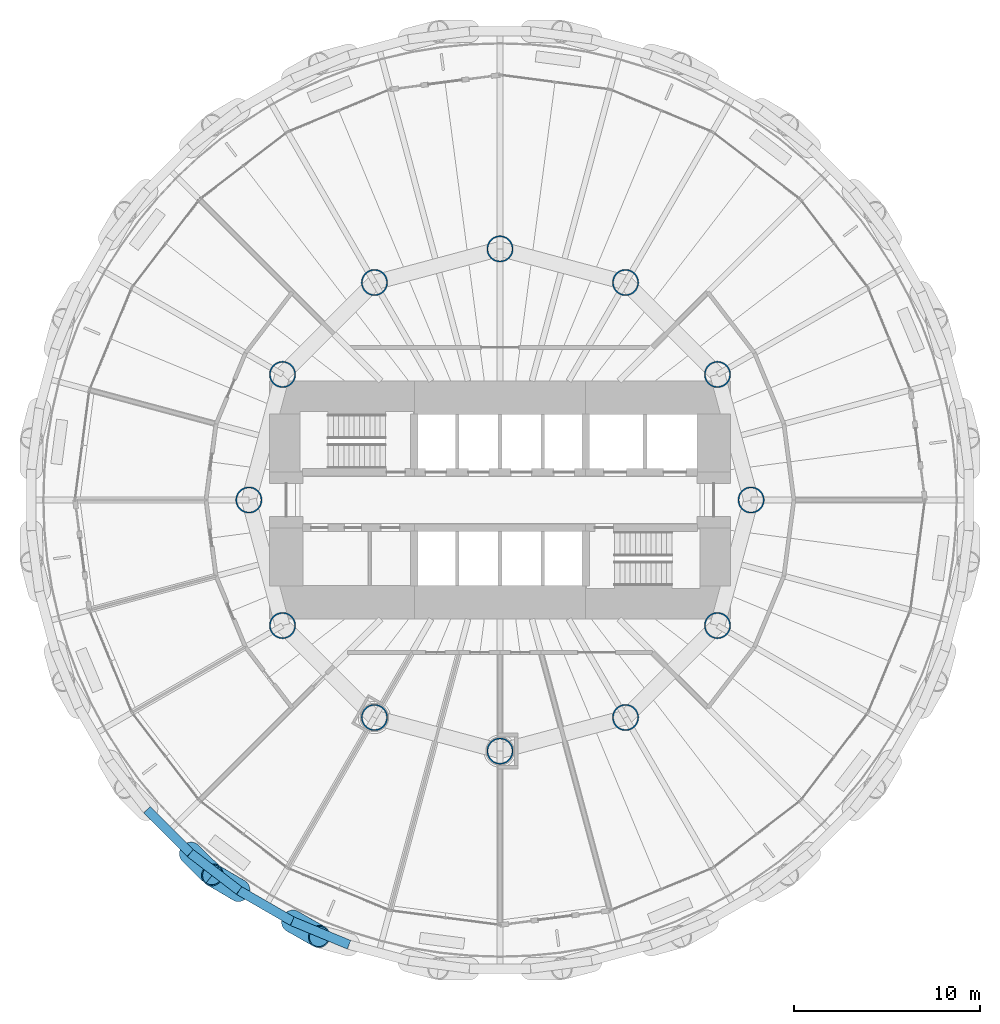
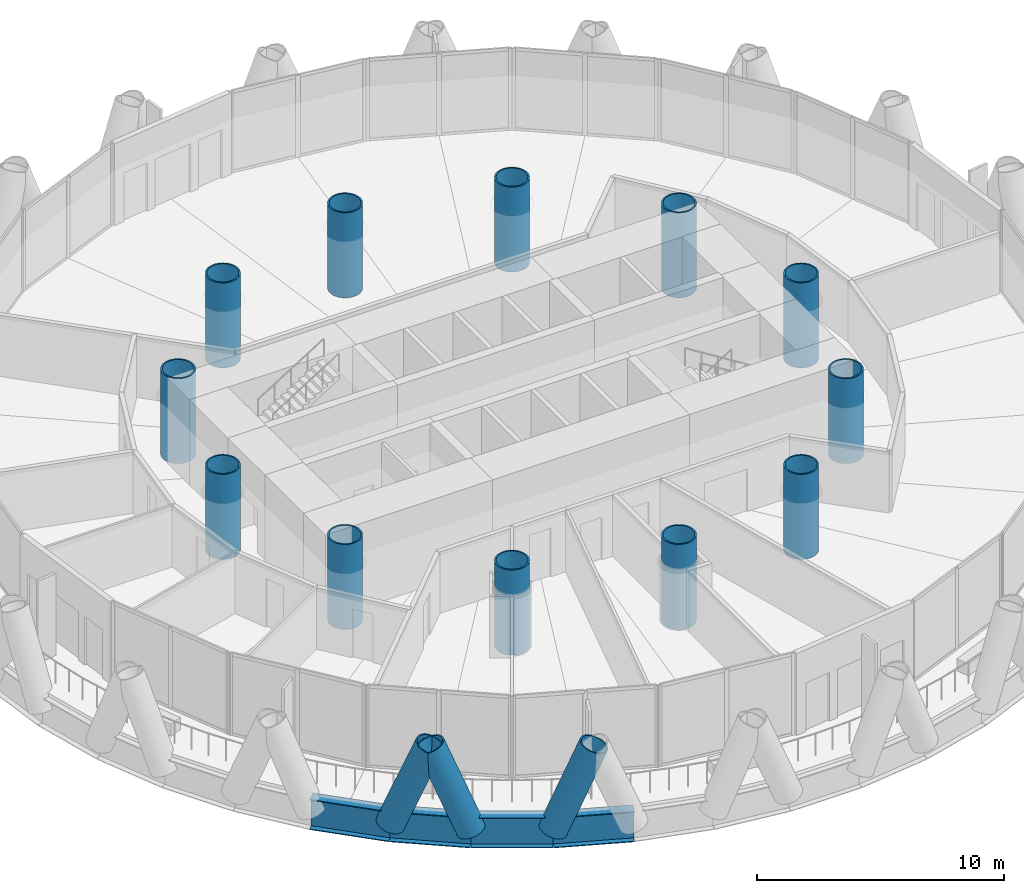
# One storey, part 1 of 16: 12 columns, 4 beams, 3 members.
"""IFC4 building model written with IfcOpenShell, lengths in metres."""

from ifc_helpers import new_model, si_unit, direction, frame, origin, origin_2d, place, context, subcontext, project, spatial, hollow_circle, i_section, extrude, material, material_profile, profile_set, type_object, element, save


model = new_model("IFC4")

# Units and contexts
model_context = context("Model", 3, precision=1e-05, world=origin(), true_north=direction((0.0, 1.0)))
body_context = subcontext(model_context, "Body", "Model", "MODEL_VIEW")
ifc_project = project(units=[si_unit("LENGTHUNIT", "METRE"), si_unit("AREAUNIT", "SQUARE_METRE"), si_unit("VOLUMEUNIT", "CUBIC_METRE"), si_unit("PLANEANGLEUNIT", "RADIAN"), si_unit("MASSUNIT", "GRAM", prefix="KILO")], contexts=[model_context])

# Site, building, storey
site_placement = place(None, origin())
site = spatial("IfcSite", under=ifc_project, at=site_placement, CompositionType="ELEMENT")
building_placement = place(site_placement, origin())
building = spatial("IfcBuilding", under=site, at=building_placement, Name="Qaws Media Tower", CompositionType="ELEMENT")
storey_placement = place(building_placement, frame((0.0, 0.0, 63.800048828125)))
storey = spatial("IfcBuildingStorey", under=building, at=storey_placement, Name="L13", CompositionType="ELEMENT", Elevation=63.800048828125)

# Columns
ifc_material_1 = material(Name="Steel S460", Category="steel")
ifc_material_profile_1 = material_profile(ifc_material_1, hollow_circle(Radius=0.7109375, WallThickness=0.070068359375, at=origin_2d()), Name="CHS 1422x70")
ifc_profile_set_1 = profile_set([ifc_material_profile_1], Name="Steel S460")
column_type = type_object("IfcColumnType", Name="Inner column CHS 1422x70", PredefinedType="COLUMN", material=ifc_profile_set_1)
for number, where, z_axis, x_axis, name in (
    (1, (73.5, 50.0, 0.0), (0.0, 0.0, 1.0), (1.0, 0.0, 0.0), "C5 inner column I01 L13"),
    (2, (71.69140625, 56.75, 0.0), (0.0, 0.0, 1.0), (1.0, 0.0, 0.0), "C5 inner column I02 L13"),
    (3, (66.75, 61.69140625, 0.0), (0.0, 0.0, 1.0), (1.0, 0.0, 0.0), "C5 inner column I03 L13"),
    (4, (60.0, 63.5, 0.0), (0.0, 0.0, 1.0), (1.0, 0.0, 0.0), "C5 inner column I04 L13"),
    (5, (53.25, 61.69140625, 0.0), (0.0, 0.0, 1.0), (1.0, 0.0, 0.0), "C5 inner column I05 L13"),
    (6, (48.30859375, 56.75, 0.0), (0.0, 0.0, 1.0), (1.0, 0.0, 0.0), "C5 inner column I06 L13"),
    (7, (46.5, 50.0, 0.0), (0.0, 0.0, 1.0), (1.0, 0.0, 0.0), "C5 inner column I07 L13"),
    (8, (48.30859375, 43.25, 0.0), (0.0, 0.0, 1.0), (1.0, 0.0, 0.0), "C5 inner column I08 L13"),
    (9, (53.25, 38.30859375, 0.0), (0.0, 0.0, 1.0), (1.0, 0.0, 0.0), "C5 inner column I09 L13"),
    (10, (60.0, 36.5, 0.0), (0.0, 0.0, 1.0), (1.0, 0.0, 0.0), "C5 inner column I10 L13"),
    (11, (66.75, 38.30859375, 0.0), (0.0, 0.0, 1.0), (1.0, 0.0, 0.0), "C5 inner column I11 L13"),
    (12, (71.69140625, 43.25, 0.0), (0.0, 0.0, 1.0), (1.0, 0.0, 0.0), "C5 inner column I12 L13"),
):
    element("IfcColumn", number, at=place(storey_placement, frame(where, z_axis=z_axis, x_axis=x_axis)), inside=storey, type_object=column_type, Name=name, PredefinedType="COLUMN", context=body_context, shape_type="SweptSolid", body=[
        extrude(hollow_circle(Radius=0.7109375, WallThickness=0.070068359375, at=origin_2d()), origin(), (0.0, 0.0, 1.0), 4.199951171875),
    ])

# Members
ifc_material_2 = material(Name="Steel S460", Category="steel")
ifc_material_profile_2 = material_profile(ifc_material_2, hollow_circle(Radius=0.609619140625, WallThickness=0.06005859375, at=origin_2d()), Name="CHS 1219x60")
ifc_profile_set_2 = profile_set([ifc_material_profile_2], Name="Steel S460")
member_type = type_object("IfcMemberType", Name="Diagrid member CHS 1219x60", PredefinedType="USERDEFINED", material=ifc_profile_set_2)
for number, where, z_axis, x_axis, name in (
    (13, (43.3515625, 31.01611328125, -0.91015625), (0.262473051655, -0.25836599958, 0.929706893282), (0.701509113894, 0.712660482364, 0.0), "DG1 diagrid L13 A16"),
    (14, (48.832275390625, 27.35400390625, -0.91015625), (0.320403656582, -0.1816287215, 0.929705600916), (0.493149544005, 0.869944554123, 0.0), "DG1 diagrid L13 A17"),
    (15, (45.971923828125, 29.00537109375, -0.91015625), (-0.317532559387, 0.186704389496, 0.929685185787), (-0.506859837862, -0.86202848257, 0.0), "DG1 diagrid L13 B17"),
):
    element("IfcMember", number, at=place(storey_placement, frame(where, z_axis=z_axis, x_axis=x_axis)), inside=storey, type_object=member_type, Name=name, ObjectType="DIAGRID", PredefinedType="USERDEFINED", context=body_context, shape_type="SweptSolid", body=[
        extrude(hollow_circle(Radius=0.609619140625, WallThickness=0.06005859375, at=origin_2d()), origin(), (0.0, 0.0, 1.0), 4.517822265625),
    ])

# Beams
ifc_material_3 = material(Name="Steel S460", Category="steel")
ifc_material_profile_3 = material_profile(ifc_material_3, i_section(OverallWidth=0.5, OverallDepth=1.5, WebThickness=0.02001953125, FlangeThickness=0.0400390625, at=origin_2d()), Name="PG 1500x500")
ifc_profile_set_3 = profile_set([ifc_material_profile_3], Name="Steel S460")
beam_type = type_object("IfcBeamType", Name="Edge ring beam PG 1500x500", PredefinedType="BEAM", material=ifc_profile_set_3)
beam_1_placement = place(storey_placement, frame((41.01611328125, 33.3515625, -0.91015625), z_axis=(0.707106781187, -0.707106781187, 0.0), x_axis=(0.707106781187, 0.707106781187, 0.0)))
element("IfcBeam", 16, at=beam_1_placement, inside=storey, type_object=beam_type, Name="RB4 edge ring beam L13-30", PredefinedType="BEAM", context=body_context, shape_type="SweptSolid", body=[
    extrude(i_section(OverallWidth=0.5, OverallDepth=1.5, WebThickness=0.02001953125, FlangeThickness=0.0400390625, at=origin_2d()), origin(), (0.0, 0.0, 1.0), 3.302734375),
])
beam_2_placement = place(storey_placement, frame((43.3515625, 31.01611328125, -0.91015625), z_axis=(0.793343364577, -0.608774429392, 0.0), x_axis=(0.608774429392, 0.793343364577, 0.0)))
element("IfcBeam", 17, at=beam_2_placement, inside=storey, type_object=beam_type, Name="RB4 edge ring beam L13-31", PredefinedType="BEAM", context=body_context, shape_type="SweptSolid", body=[
    extrude(i_section(OverallWidth=0.5, OverallDepth=1.5, WebThickness=0.02001953125, FlangeThickness=0.0400390625, at=origin_2d()), origin(), (0.0, 0.0, 1.0), 3.302978515625),
])
for number, where, z_axis, x_axis, name in (
    (18, (45.971923828125, 29.00537109375, -0.91015625), (0.866032949645, -0.499986929959, 0.0), (0.499986929959, 0.866032949645, 0.0), "RB4 edge ring beam L13-32"),
    (19, (48.832275390625, 27.35400390625, -0.91015625), (0.92387537962, -0.382693458177, 0.0), (0.382693458177, 0.92387537962, 0.0), "RB4 edge ring beam L13-33"),
):
    element("IfcBeam", number, at=place(storey_placement, frame(where, z_axis=z_axis, x_axis=x_axis)), inside=storey, type_object=beam_type, Name=name, PredefinedType="BEAM", context=body_context, shape_type="SweptSolid", body=[
        extrude(i_section(OverallWidth=0.5, OverallDepth=1.5, WebThickness=0.02001953125, FlangeThickness=0.0400390625, at=origin_2d()), origin(), (0.0, 0.0, 1.0), 3.302734375),
    ])

save(model, "model.ifc")
